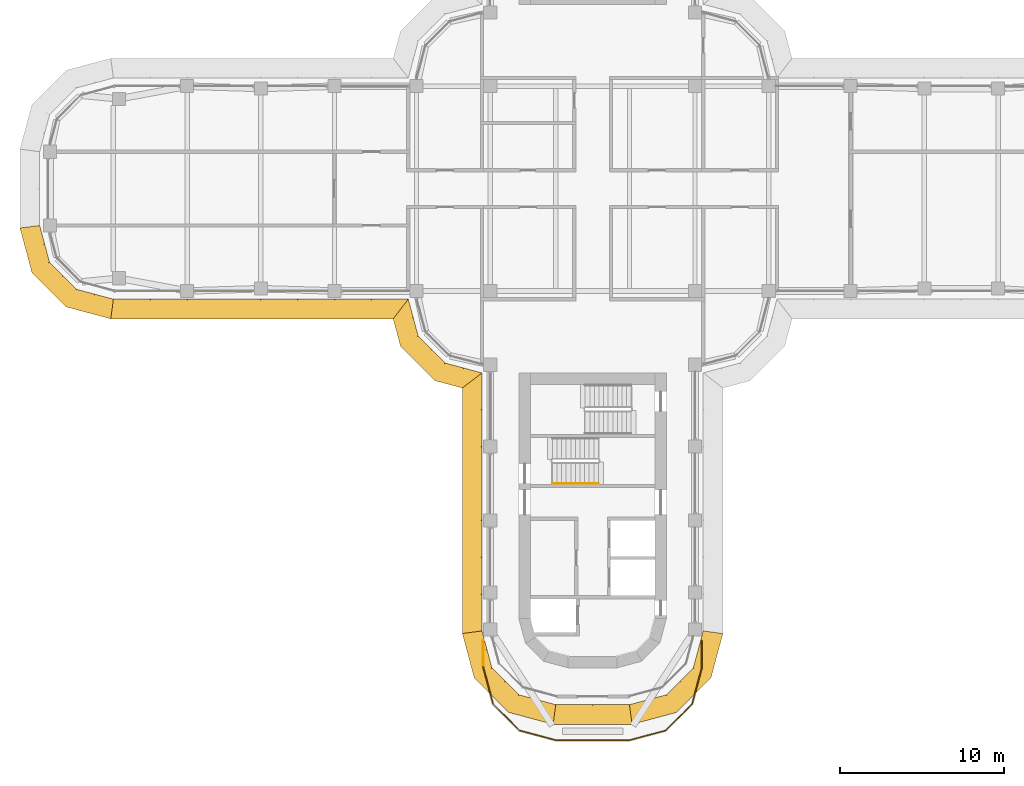
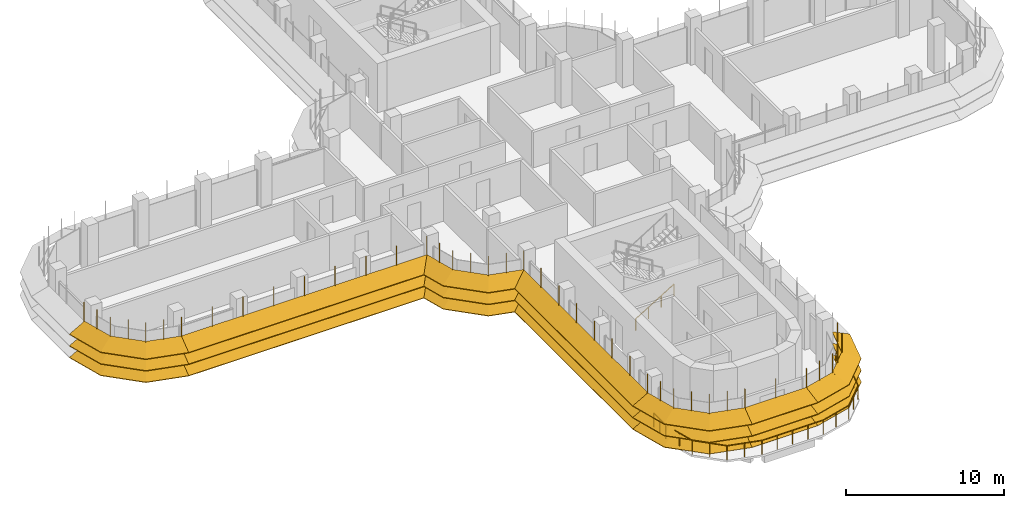
# One storey, part 17 of 20: 7 shading devices, 3 railings.
"""IFC4 building model written with IfcOpenShell, lengths in metres."""

import ifcopenshell
import ifcopenshell.guid

model = None  # the IFC model being written
_history = None  # IfcOwnerHistory: only IFC2X3 demands one
_inside = {}  # id of a spatial element -> (the spatial element, [elements in it])
_under = {}  # id of a project, library or spatial element -> (it, [spatial elements below it])
_declared = {}  # id of a project -> (the project, [libraries it declares])
_typed = {}  # id of a type object -> (the type object, [elements of that type])
_made_of = {}  # id of a material, layer set ... -> (it, [elements and type objects made of it])


def new_model(schema):
    """Start an empty IFC model of exactly this schema.

    Asked for "IFC4X3", IfcOpenShell would pick the latest addendum, in which some entities
    have other attributes; the version numbers below select the first issue.
    IFC2X3 requires an IfcOwnerHistory on every rooted entity: one is made here for all.
    """
    global model, _history
    if schema == "IFC4X3":
        model = ifcopenshell.file(schema_version=(4, 3, 0, 0))
    else:
        model = ifcopenshell.file(schema=schema)
    _inside.clear()
    _under.clear()
    _declared.clear()
    _typed.clear()
    _made_of.clear()
    _history = None
    if model.schema == "IFC2X3":
        org = make("IfcOrganization", Name="unknown")
        user = make(
            "IfcPersonAndOrganization",
            ThePerson=make("IfcPerson", FamilyName="unknown"),
            TheOrganization=org,
        )
        app = make(
            "IfcApplication",
            ApplicationDeveloper=org,
            Version="unknown",
            ApplicationFullName="unknown",
            ApplicationIdentifier="unknown",
        )
        _history = make(
            "IfcOwnerHistory",
            OwningUser=user,
            OwningApplication=app,
            ChangeAction="ADDED",
            CreationDate=0,
        )
    return model


def make(cls, **values):
    """One entity of the class cls with the attributes given. An attribute that is None is left unset."""
    return model.create_entity(
        cls, **{name: value for name, value in values.items() if value is not None}
    )


def rooted(cls, **values):
    """An entity with a GlobalId (a new one), such as an element, a storey or a relation."""
    return make(cls, GlobalId=ifcopenshell.guid.new(), OwnerHistory=_history, **values)


def si_unit(unit_type, name, prefix=None):
    """IfcSIUnit, for example si_unit("LENGTHUNIT", "METRE", prefix="MILLI")."""
    return make("IfcSIUnit", UnitType=unit_type, Prefix=prefix, Name=name)


def assignment(units):
    """IfcUnitAssignment: the units of a project."""
    return None if units is None else make("IfcUnitAssignment", Units=units)


def point(xyz):
    """IfcCartesianPoint."""
    return None if xyz is None else make("IfcCartesianPoint", Coordinates=xyz)


def direction(xyz):
    """IfcDirection."""
    return None if xyz is None else make("IfcDirection", DirectionRatios=xyz)


def frame(location, z_axis=None, x_axis=None):
    """IfcAxis2Placement3D, a coordinate frame: its origin and axes. An axis left out is left unset."""
    return make(
        "IfcAxis2Placement3D",
        Location=point(location),
        Axis=direction(z_axis),
        RefDirection=direction(x_axis),
    )


def frame_2d(location, x_axis=None):
    """IfcAxis2Placement2D, a coordinate frame in the plane: its origin and x axis."""
    return make(
        "IfcAxis2Placement2D", Location=point(location), RefDirection=direction(x_axis)
    )


def origin():
    """The frame at (0, 0, 0) with its axes left unset."""
    return frame((0.0, 0.0, 0.0))


def origin_2d():
    """The frame at (0, 0) in the plane with its x axis left unset."""
    return frame_2d((0.0, 0.0))


def place(relative_to, where):
    """IfcLocalPlacement: puts the frame where relative to a parent placement (None: the world)."""
    return make(
        "IfcLocalPlacement", PlacementRelTo=relative_to, RelativePlacement=where
    )


def context(
    kind, dimensions, precision=None, world=None, true_north=None, identifier=None
):
    """IfcGeometricRepresentationContext, for example the 3D "Model" context."""
    return make(
        "IfcGeometricRepresentationContext",
        ContextIdentifier=identifier,
        ContextType=kind,
        CoordinateSpaceDimension=dimensions,
        Precision=precision,
        WorldCoordinateSystem=world,
        TrueNorth=true_north,
    )


def subcontext(parent, identifier, kind, view, scale=None):
    """IfcGeometricRepresentationSubContext, for example "Body" below "Model"."""
    return make(
        "IfcGeometricRepresentationSubContext",
        ContextIdentifier=identifier,
        ContextType=kind,
        ParentContext=parent,
        TargetScale=scale,
        TargetView=view,
    )


def project(units=None, contexts=None):
    """IfcProject with its units and contexts."""
    return rooted(
        "IfcProject",
        Name="project",
        RepresentationContexts=contexts,
        UnitsInContext=assignment(units),
    )


def spatial(cls, under=None, at=None, **own):
    """A site, building, storey or space (cls), placed at a placement, below another one or the project."""
    s = rooted(cls, ObjectPlacement=at, **own)
    if under is not None:
        _under.setdefault(under.id(), (under, []))[1].append(s)
    return s


def polyline(points):
    """IfcPolyline through the points."""
    return make("IfcPolyline", Points=[point(p) for p in points])


def profile(cls, at=None, kind="AREA", **sizes):
    """A parametric profile (cls). Its sizes go by their IFC names, for example OverallWidth=200.0."""
    return make(cls, ProfileType=kind, Position=at, **sizes)


def circle(**sizes):
    """IfcCircleProfileDef."""
    return profile("IfcCircleProfileDef", **sizes)


def outline(outer, holes=None, kind="AREA"):
    """IfcArbitraryClosedProfileDef: a profile drawn as a closed curve; with holes, ...WithVoids."""
    if holes is None:
        return make("IfcArbitraryClosedProfileDef", ProfileType=kind, OuterCurve=outer)
    return make(
        "IfcArbitraryProfileDefWithVoids",
        ProfileType=kind,
        OuterCurve=outer,
        InnerCurves=holes,
    )


def extrude(swept, where, along, depth):
    """IfcExtrudedAreaSolid: the profile swept, set in the frame where, extruded along a direction by depth."""
    return make(
        "IfcExtrudedAreaSolid",
        SweptArea=swept,
        Position=where,
        ExtrudedDirection=direction(along),
        Depth=depth,
    )


def faces_of(points, faces, orient=None, outer=None):
    """IfcFace entities. A face is a list of loops; a loop is a list of indices into points, from 0.

    orient and outer hold one flag for each loop. By default every Orientation is true, the
    first loop of a face is its IfcFaceOuterBound and the others are IfcFaceBound.
    """
    made = []
    for i, loops in enumerate(faces):
        bounds = []
        for j, loop in enumerate(loops):
            is_outer = j == 0 if outer is None else outer[i][j]
            bounds.append(
                make(
                    "IfcFaceOuterBound" if is_outer else "IfcFaceBound",
                    Bound=make("IfcPolyLoop", Polygon=[points[k] for k in loop]),
                    Orientation=True if orient is None else orient[i][j],
                )
            )
        made.append(make("IfcFace", Bounds=bounds))
    return made


def faceted_brep(points, faces, orient=None, outer=None, voids=None):
    """IfcFacetedBrep: a solid bounded by flat faces; with voids (closed shells), ...WithVoids."""
    shared = [point(p) for p in points]
    hull = make("IfcClosedShell", CfsFaces=faces_of(shared, faces, orient, outer))
    if voids is None:
        return make("IfcFacetedBrep", Outer=hull)
    return make(
        "IfcFacetedBrepWithVoids",
        Outer=hull,
        Voids=[
            make(cls, CfsFaces=faces_of(shared, fs, o, b)) for cls, fs, o, b in voids
        ],
    )


def shape(context_of_items, identifier, shape_type, items):
    """IfcShapeRepresentation: the items that make up one representation, for example the "Body"."""
    return make(
        "IfcShapeRepresentation",
        ContextOfItems=context_of_items,
        RepresentationIdentifier=identifier,
        RepresentationType=shape_type,
        Items=items,
    )


def source(mapping_origin, context_of_items, identifier, shape_type, items):
    """IfcRepresentationMap: a shape defined once, which mapped items show again and again."""
    return make(
        "IfcRepresentationMap",
        MappingOrigin=mapping_origin,
        MappedRepresentation=shape(context_of_items, identifier, shape_type, items),
    )


def transform(
    local_origin,
    x_axis=None,
    y_axis=None,
    z_axis=None,
    scale=None,
    scale2=None,
    scale3=None,
    uniform=True,
):
    """IfcCartesianTransformationOperator3D, or its non-uniform kind. x_axis, y_axis, z_axis: its Axis1, 2, 3."""
    if uniform:
        return make(
            "IfcCartesianTransformationOperator3D",
            Axis1=direction(x_axis),
            Axis2=direction(y_axis),
            LocalOrigin=point(local_origin),
            Scale=scale,
            Axis3=direction(z_axis),
        )
    return make(
        "IfcCartesianTransformationOperator3DnonUniform",
        Axis1=direction(x_axis),
        Axis2=direction(y_axis),
        LocalOrigin=point(local_origin),
        Scale=scale,
        Axis3=direction(z_axis),
        Scale2=scale2,
        Scale3=scale3,
    )


def mapped(mapping_source, mapping_target):
    """IfcMappedItem: shows the shape of a source again, moved by a transform."""
    return make(
        "IfcMappedItem", MappingSource=mapping_source, MappingTarget=mapping_target
    )


def material(Name=None, Category=None):
    """IfcMaterial."""
    return make("IfcMaterial", Name=Name, Category=Category)


def made_of(thing, what):
    """Note that an element or type object is made of a material, layer set ...; save() writes the relation."""
    if what is not None:
        _made_of.setdefault(what.id(), (what, []))[1].append(thing)
    return thing


def type_object(cls, material=None, **own):
    """A type object (cls), such as IfcWallType, which elements share."""
    return made_of(rooted(cls, **own), material)


def element(
    cls,
    number,
    at=None,
    inside=None,
    cuts=None,
    type_object=None,
    material=None,
    context=None,
    identifier="Body",
    shape_type=None,
    held_by="IfcProductDefinitionShape",
    body=None,
    shapes=None,
    **own,
):
    """One element of the class cls, such as IfcWall. Its Tag is "e" and its number.

    at: its placement. inside: the storey or other place that contains it. cuts: it is an
    opening in that element (IfcRelVoidsElement). A single representation is given by context,
    identifier, shape_type and body (its items); several are given by shapes. held_by: the class
    of the entity that holds the representations. save() writes the other relations.
    """
    e = rooted(cls, Tag="e%d" % number, ObjectPlacement=at, **own)
    if body is not None:
        shapes = [shape(context, identifier, shape_type, body)]
    if shapes is not None:
        e.Representation = make(held_by, Representations=shapes)
    if inside is not None:
        _inside.setdefault(inside.id(), (inside, []))[1].append(e)
    if cuts is not None:
        rooted(
            "IfcRelVoidsElement", RelatingBuildingElement=cuts, RelatedOpeningElement=e
        )
    if type_object is not None:
        _typed.setdefault(type_object.id(), (type_object, []))[1].append(e)
    return made_of(e, material)


def aggregate(whole, parts):
    """IfcRelAggregates: a whole, such as a stair, and the parts it consists of."""
    return rooted("IfcRelAggregates", RelatingObject=whole, RelatedObjects=parts)


def save(model, path):
    """Write the relations noted so far, then the file.

    IfcRelAggregates (storeys below a building ...), IfcRelContainedInSpatialStructure (elements
    in a storey), IfcRelDefinesByType, IfcRelAssociatesMaterial and IfcRelDeclares: one each for
    every whole, place, type object, material and project.
    """
    for whole, parts in _under.values():
        aggregate(whole, parts)
    for where, things in _inside.values():
        rooted(
            "IfcRelContainedInSpatialStructure",
            RelatedElements=things,
            RelatingStructure=where,
        )
    for kind, things in _typed.values():
        rooted("IfcRelDefinesByType", RelatedObjects=things, RelatingType=kind)
    for what, things in _made_of.values():
        rooted("IfcRelAssociatesMaterial", RelatedObjects=things, RelatingMaterial=what)
    for by, libraries in _declared.values():
        rooted("IfcRelDeclares", RelatingContext=by, RelatedDefinitions=libraries)
    model.write(path)


model = new_model("IFC4")

# Units and contexts
model_context = context("Model", 3, precision=1e-05, world=origin(), true_north=direction((0.0, 1.0)))
body_context = subcontext(model_context, "Body", "Model", "MODEL_VIEW")
ifc_project = project(units=[si_unit("LENGTHUNIT", "METRE"), si_unit("AREAUNIT", "SQUARE_METRE"), si_unit("VOLUMEUNIT", "CUBIC_METRE"), si_unit("PLANEANGLEUNIT", "RADIAN"), si_unit("MASSUNIT", "GRAM", prefix="KILO")], contexts=[model_context])

# Site, building, storey
site_placement = place(None, origin())
site = spatial("IfcSite", under=ifc_project, at=site_placement, CompositionType="ELEMENT")
building_placement = place(site_placement, origin())
building = spatial("IfcBuilding", under=site, at=building_placement, Name="Zarbagh Exchange Tower", CompositionType="ELEMENT")
storey_placement = place(building_placement, frame((0.0, 0.0, 156.199951171875)))
storey = spatial("IfcBuildingStorey", under=building, at=storey_placement, Name="L37", CompositionType="ELEMENT", Elevation=156.199951171875)

# Railings
ifc_material_1 = material(Name="Stainless steel", Category="steel")
railing_type_1 = type_object("IfcRailingType", Name="Stair handrail 900 mm", PredefinedType="HANDRAIL", material=ifc_material_1)
railing_1_placement = place(storey_placement, frame((-2.449951171875, -18.0, 0.1728515625)))
element("IfcRailing", 1, at=railing_1_placement, inside=storey, type_object=railing_type_1, Name="ST3 stair handrail 1", PredefinedType="HANDRAIL", context=body_context, shape_type="SweptSolid", body=[
    extrude(circle(Radius=0.02392578125, at=origin_2d()), frame((0.0, 0.0, 0.8759765625), z_axis=(0.851089632645, 0.0, 0.525020415988), x_axis=(0.0, 1.0, 0.0)), (0.0, 0.0, 1.0), 3.2900390625),
    extrude(circle(Radius=0.02099609375, at=origin_2d()), origin(), (0.0, 0.0, 1.0), 0.851806640625),
    extrude(circle(Radius=0.02099609375, at=origin_2d()), frame((0.933349609375, 0.0, 0.57568359375)), (0.0, 0.0, 1.0), 0.851806640625),
    extrude(circle(Radius=0.02099609375, at=origin_2d()), frame((1.86669921875, 0.0, 1.151611328125)), (0.0, 0.0, 1.0), 0.851806640625),
    extrude(circle(Radius=0.02099609375, at=origin_2d()), frame((2.800048828125, 0.0, 1.727294921875)), (0.0, 0.0, 1.0), 0.851806640625),
])
ifc_material_2 = material(Name="Stainless steel and laminated glass", Category="steel")
railing_type_2 = type_object("IfcRailingType", Name="Terrace guard, glass balustrade 1.1 m", PredefinedType="GUARDRAIL", material=ifc_material_2)
railing_2_placement = place(storey_placement, frame((6.669921875, -27.607666015625, 0.0)))
element("IfcRailing", 2, at=railing_2_placement, inside=storey, type_object=railing_type_2, Name="TG01 terrace guard", PredefinedType="GUARDRAIL", context=body_context, shape_type="SweptSolid", body=[
    extrude(circle(Radius=0.02490234375, at=origin_2d()), frame((0.0, 0.0, 1.0751953125), z_axis=(0.0, -1.0, 0.0), x_axis=(1.0, 0.0, 0.0)), (0.0, 0.0, 1.0), 1.6318359375),
    extrude(circle(Radius=0.02490234375, at=origin_2d()), frame((0.0, -1.6318359375, 1.0751953125), z_axis=(-0.258780353152, -0.965936192935, 0.0), x_axis=(0.965936192935, -0.258780353152, 0.0)), (0.0, 0.0, 1.0), 2.29736328125),
    extrude(circle(Radius=0.02490234375, at=origin_2d()), frame((-0.594482421875, -3.850830078125, 1.0751953125), z_axis=(-0.707106781187, -0.707106781187, 0.0), x_axis=(0.707106781187, -0.707106781187, 0.0)), (0.0, 0.0, 1.0), 2.28662109375),
    extrude(circle(Radius=0.02490234375, at=origin_2d()), frame((-2.21142578125, -5.4677734375, 1.0751953125), z_axis=(-0.965936192935, -0.258780353152, 0.0), x_axis=(0.258780353152, -0.965936192935, 0.0)), (0.0, 0.0, 1.0), 2.29736328125),
    extrude(circle(Radius=0.02490234375, at=origin_2d()), frame((-4.430419921875, -6.062255859375, 1.0751953125), z_axis=(-1.0, 0.0, 0.0), x_axis=(0.0, -1.0, 0.0)), (0.0, 0.0, 1.0), 4.47900390625),
    extrude(circle(Radius=0.02490234375, at=origin_2d()), frame((-8.909423828125, -6.062255859375, 1.0751953125), z_axis=(-0.965936192935, 0.258780353152, 0.0), x_axis=(-0.258780353152, -0.965936192935, 0.0)), (0.0, 0.0, 1.0), 2.29736328125),
    extrude(circle(Radius=0.02490234375, at=origin_2d()), frame((-11.12841796875, -5.4677734375, 1.0751953125), z_axis=(-0.707106781187, 0.707106781187, 0.0), x_axis=(-0.707106781187, -0.707106781187, 0.0)), (0.0, 0.0, 1.0), 2.28662109375),
    extrude(circle(Radius=0.02490234375, at=origin_2d()), frame((-12.745361328125, -3.850830078125, 1.0751953125), z_axis=(-0.258780353152, 0.965936192935, 0.0), x_axis=(-0.965936192935, -0.258780353152, 0.0)), (0.0, 0.0, 1.0), 2.29736328125),
    extrude(circle(Radius=0.02490234375, at=origin_2d()), frame((-13.33984375, -1.6318359375, 1.0751953125), z_axis=(0.0, 1.0, 0.0), x_axis=(-1.0, 0.0, 0.0)), (0.0, 0.0, 1.0), 0.126708984375),
    extrude(circle(Radius=0.02490234375, at=origin_2d()), origin(), (0.0, 0.0, 1.0), 1.050048828125),
    extrude(circle(Radius=0.02490234375, at=origin_2d()), frame((0.0, -0.81591796875, 0.0)), (0.0, 0.0, 1.0), 1.050048828125),
    extrude(circle(Radius=0.02490234375, at=origin_2d()), frame((0.0, -1.6318359375, 0.0)), (0.0, 0.0, 1.0), 1.050048828125),
    extrude(circle(Radius=0.02490234375, at=origin_2d()), frame((-0.29736328125, -2.7412109375, 0.0)), (0.0, 0.0, 1.0), 1.050048828125),
    extrude(circle(Radius=0.02490234375, at=origin_2d()), frame((-0.594482421875, -3.850830078125, 0.0)), (0.0, 0.0, 1.0), 1.050048828125),
    extrude(circle(Radius=0.02490234375, at=origin_2d()), frame((-1.40283203125, -4.6591796875, 0.0)), (0.0, 0.0, 1.0), 1.050048828125),
    extrude(circle(Radius=0.02490234375, at=origin_2d()), frame((-2.21142578125, -5.4677734375, 0.0)), (0.0, 0.0, 1.0), 1.050048828125),
    extrude(circle(Radius=0.02490234375, at=origin_2d()), frame((-3.32080078125, -5.76513671875, 0.0)), (0.0, 0.0, 1.0), 1.050048828125),
    extrude(circle(Radius=0.02490234375, at=origin_2d()), frame((-4.430419921875, -6.062255859375, 0.0)), (0.0, 0.0, 1.0), 1.050048828125),
    extrude(circle(Radius=0.02490234375, at=origin_2d()), frame((-5.55029296875, -6.062255859375, 0.0)), (0.0, 0.0, 1.0), 1.050048828125),
    extrude(circle(Radius=0.02490234375, at=origin_2d()), frame((-6.669921875, -6.062255859375, 0.0)), (0.0, 0.0, 1.0), 1.050048828125),
    extrude(circle(Radius=0.02490234375, at=origin_2d()), frame((-7.78955078125, -6.062255859375, 0.0)), (0.0, 0.0, 1.0), 1.050048828125),
    extrude(circle(Radius=0.02490234375, at=origin_2d()), frame((-8.909423828125, -6.062255859375, 0.0)), (0.0, 0.0, 1.0), 1.050048828125),
    extrude(circle(Radius=0.02490234375, at=origin_2d()), frame((-10.01904296875, -5.76513671875, 0.0)), (0.0, 0.0, 1.0), 1.050048828125),
    extrude(circle(Radius=0.02490234375, at=origin_2d()), frame((-11.12841796875, -5.4677734375, 0.0)), (0.0, 0.0, 1.0), 1.050048828125),
    extrude(circle(Radius=0.02490234375, at=origin_2d()), frame((-11.93701171875, -4.6591796875, 0.0)), (0.0, 0.0, 1.0), 1.050048828125),
    extrude(circle(Radius=0.02490234375, at=origin_2d()), frame((-12.745361328125, -3.850830078125, 0.0)), (0.0, 0.0, 1.0), 1.050048828125),
    extrude(circle(Radius=0.02490234375, at=origin_2d()), frame((-13.04248046875, -2.7412109375, 0.0)), (0.0, 0.0, 1.0), 1.050048828125),
    extrude(circle(Radius=0.02490234375, at=origin_2d()), frame((-13.33984375, -1.6318359375, 0.0)), (0.0, 0.0, 1.0), 1.050048828125),
    extrude(circle(Radius=0.02490234375, at=origin_2d()), frame((-13.33984375, -1.505126953125, 0.0)), (0.0, 0.0, 1.0), 1.050048828125),
])
railing_3_placement = place(storey_placement, frame((-6.669921875, -29.11279296875, 0.0)))
element("IfcRailing", 3, at=railing_3_placement, inside=storey, type_object=railing_type_2, Name="TG01 terrace guard", PredefinedType="GUARDRAIL", context=body_context, shape_type="SweptSolid", body=[
    extrude(circle(Radius=0.02490234375, at=origin_2d()), frame((0.0, 0.0, 1.0751953125), z_axis=(0.0, 1.0, 0.0), x_axis=(-1.0, 0.0, 0.0)), (0.0, 0.0, 1.0), 1.505126953125),
    extrude(circle(Radius=0.02490234375, at=origin_2d()), origin(), (0.0, 0.0, 1.0), 1.050048828125),
    extrude(circle(Radius=0.02490234375, at=origin_2d()), frame((0.0, 0.75244140625, 0.0)), (0.0, 0.0, 1.0), 1.050048828125),
    extrude(circle(Radius=0.02490234375, at=origin_2d()), frame((0.0, 1.505126953125, 0.0)), (0.0, 0.0, 1.0), 1.050048828125),
])

# Shading devices
ifc_material_3 = material(Name="Anodised aluminium blades and brackets", Category="aluminium")
shading_device_type = type_object("IfcShadingDeviceType", Name="SUNSHADE louvre band, 22.5 degree blades", PredefinedType="JALOUSIE", material=ifc_material_3)
shared_shape_1 = source(origin(), body_context, "Body", "Brep", [
    faceted_brep([(0.0, 0.0, 0.0), (0.0, 0.0, -0.043212890625), (-0.157958984375, -1.199951171875, -0.540283203125), (-0.157958984375, -1.199951171875, -0.4970703125), (2.65087890625, -1.199951171875, -0.4970703125), (2.65087890625, -1.199951171875, -0.540283203125), (2.329345703125, 0.0, -0.043212890625), (2.329345703125, 0.0, 0.0)], [[[0, 1, 2, 3]], [[4, 5, 6, 7]], [[0, 7, 6, 1]], [[1, 6, 5, 2]], [[2, 5, 4, 3]], [[3, 4, 7, 0]]]),
])
shared_shape_2 = source(origin(), body_context, "Body", "Brep", [
    faceted_brep([(0.0, 0.0, 0.0), (0.0, 0.0, -0.043212890625), (-0.321533203125, -1.199951171875, -0.540283203125), (-0.321533203125, -1.199951171875, -0.4970703125), (2.65087890625, -1.199951171875, -0.4970703125), (2.65087890625, -1.199951171875, -0.540283203125), (2.329345703125, 0.0, -0.043212890625), (2.329345703125, 0.0, 0.0)], [[[0, 1, 2, 3]], [[4, 5, 6, 7]], [[0, 7, 6, 1]], [[1, 6, 5, 2]], [[2, 5, 4, 3]], [[3, 4, 7, 0]]]),
])
shared_shape_3 = source(origin(), body_context, "Body", "Brep", [
    faceted_brep([(0.0, 0.0, 0.0), (0.0, 0.0, -0.043212890625), (-0.321533203125, -1.199951171875, -0.540283203125), (-0.321533203125, -1.199951171875, -0.4970703125), (2.4873046875, -1.199951171875, -0.4970703125), (2.4873046875, -1.199951171875, -0.540283203125), (2.329345703125, 0.0, -0.043212890625), (2.329345703125, 0.0, 0.0)], [[[0, 1, 2, 3]], [[4, 5, 6, 7]], [[0, 7, 6, 1]], [[1, 6, 5, 2]], [[2, 5, 4, 3]], [[3, 4, 7, 0]]]),
])
shared_shape_4 = source(origin(), body_context, "Body", "SweptSolid", [
    extrude(outline(polyline([(0.0, -0.012451171875), (0.06005859375, -0.012451171875), (0.06005859375, 0.012451171875), (0.0, 0.012451171875), (0.0, -0.012451171875)])), origin(), (0.0, 0.0, 1.0), 3.353271484375),
])
placement = place(storey_placement, origin())
element("IfcShadingDevice", 4, at=placement, inside=storey, type_object=shading_device_type, Name="SS35 sunshade band", PredefinedType="JALOUSIE", context=body_context, shape_type="MappedRepresentation", body=[
    mapped(shared_shape_1, transform((2.25, -31.5, 2.300048828125), x_axis=(0.965924289636, 0.258824779902, 0.0), y_axis=(-0.258824779902, 0.965924289636, 0.0), z_axis=(0.0, 0.0, 1.0))),
    mapped(shared_shape_1, transform((2.25, -31.5, 1.400146484375), x_axis=(0.965924289636, 0.258824779902, 0.0), y_axis=(-0.258824779902, 0.965924289636, 0.0), z_axis=(0.0, 0.0, 1.0))),
    mapped(shared_shape_1, transform((2.25, -31.5, 0.5), x_axis=(0.965924289636, 0.258824779902, 0.0), y_axis=(-0.258824779902, 0.965924289636, 0.0), z_axis=(0.0, 0.0, 1.0))),
    mapped(shared_shape_2, transform((4.5, -30.897216796875, 2.300048828125), x_axis=(0.707106781187, 0.707106781187, 0.0), y_axis=(-0.707106781187, 0.707106781187, 0.0), z_axis=(0.0, 0.0, 1.0))),
    mapped(shared_shape_2, transform((4.5, -30.897216796875, 1.400146484375), x_axis=(0.707106781187, 0.707106781187, 0.0), y_axis=(-0.707106781187, 0.707106781187, 0.0), z_axis=(0.0, 0.0, 1.0))),
    mapped(shared_shape_2, transform((4.5, -30.897216796875, 0.5), x_axis=(0.707106781187, 0.707106781187, 0.0), y_axis=(-0.707106781187, 0.707106781187, 0.0), z_axis=(0.0, 0.0, 1.0))),
    mapped(shared_shape_3, transform((6.147216796875, -29.25, 2.300048828125), x_axis=(0.258824779902, 0.965924289636, 0.0), y_axis=(-0.965924289636, 0.258824779902, 0.0), z_axis=(0.0, 0.0, 1.0))),
    mapped(shared_shape_3, transform((6.147216796875, -29.25, 1.400146484375), x_axis=(0.258824779902, 0.965924289636, 0.0), y_axis=(-0.965924289636, 0.258824779902, 0.0), z_axis=(0.0, 0.0, 1.0))),
    mapped(shared_shape_3, transform((6.147216796875, -29.25, 0.5), x_axis=(0.258824779902, 0.965924289636, 0.0), y_axis=(-0.965924289636, 0.258824779902, 0.0), z_axis=(0.0, 0.0, 1.0))),
    mapped(shared_shape_4, transform((2.25, -31.5, 0.4267578125), x_axis=(0.130529263012, -0.991444457092, 0.0), y_axis=(0.991444457092, 0.130529263012, 0.0), z_axis=(0.0, 0.0, 1.0))),
    mapped(shared_shape_4, transform((3.375, -31.198486328125, 0.4267578125), x_axis=(0.258825058029, -0.96592421511, 0.0), y_axis=(0.96592421511, 0.258825058029, 0.0), z_axis=(0.0, 0.0, 1.0))),
    mapped(shared_shape_4, transform((4.5, -30.897216796875, 0.4267578125), x_axis=(0.50000275701, -0.866023812018, 0.0), y_axis=(0.866023812018, 0.50000275701, 0.0), z_axis=(0.0, 0.0, 1.0))),
    mapped(shared_shape_4, transform((5.323486328125, -30.073486328125, 0.4267578125), x_axis=(0.707106781187, -0.707106781187, 0.0), y_axis=(0.707106781187, 0.707106781187, 0.0), z_axis=(0.0, 0.0, 1.0))),
    mapped(shared_shape_4, transform((6.147216796875, -29.25, 0.4267578125), x_axis=(0.866023812018, -0.50000275701, 0.0), y_axis=(0.50000275701, 0.866023812018, 0.0), z_axis=(0.0, 0.0, 1.0))),
    mapped(shared_shape_4, transform((6.448486328125, -28.125, 0.4267578125), x_axis=(0.96592421511, -0.258825058029, 0.0), y_axis=(0.258825058029, 0.96592421511, 0.0), z_axis=(0.0, 0.0, 1.0))),
])
element("IfcShadingDevice", 5, at=placement, inside=storey, type_object=shading_device_type, Name="SS19 sunshade band", PredefinedType="JALOUSIE", context=body_context, shape_type="MappedRepresentation", body=[
    mapped(shared_shape_1, transform((-33.75, -2.25, 2.300048828125), x_axis=(0.258824779902, -0.965924289636, 0.0), y_axis=(0.965924289636, 0.258824779902, 0.0), z_axis=(0.0, 0.0, 1.0))),
    mapped(shared_shape_1, transform((-33.75, -2.25, 1.400146484375), x_axis=(0.258824779902, -0.965924289636, 0.0), y_axis=(0.965924289636, 0.258824779902, 0.0), z_axis=(0.0, 0.0, 1.0))),
    mapped(shared_shape_1, transform((-33.75, -2.25, 0.5), x_axis=(0.258824779902, -0.965924289636, 0.0), y_axis=(0.965924289636, 0.258824779902, 0.0), z_axis=(0.0, 0.0, 1.0))),
    mapped(shared_shape_2, transform((-33.147216796875, -4.5, 2.300048828125), x_axis=(0.707106781187, -0.707106781187, 0.0), y_axis=(0.707106781187, 0.707106781187, 0.0), z_axis=(0.0, 0.0, 1.0))),
    mapped(shared_shape_2, transform((-33.147216796875, -4.5, 1.400146484375), x_axis=(0.707106781187, -0.707106781187, 0.0), y_axis=(0.707106781187, 0.707106781187, 0.0), z_axis=(0.0, 0.0, 1.0))),
    mapped(shared_shape_2, transform((-33.147216796875, -4.5, 0.5), x_axis=(0.707106781187, -0.707106781187, 0.0), y_axis=(0.707106781187, 0.707106781187, 0.0), z_axis=(0.0, 0.0, 1.0))),
    mapped(shared_shape_3, transform((-31.5, -6.147216796875, 2.300048828125), x_axis=(0.965924289636, -0.258824779902, 0.0), y_axis=(0.258824779902, 0.965924289636, 0.0), z_axis=(0.0, 0.0, 1.0))),
    mapped(shared_shape_3, transform((-31.5, -6.147216796875, 1.400146484375), x_axis=(0.965924289636, -0.258824779902, 0.0), y_axis=(0.258824779902, 0.965924289636, 0.0), z_axis=(0.0, 0.0, 1.0))),
    mapped(shared_shape_3, transform((-31.5, -6.147216796875, 0.5), x_axis=(0.965924289636, -0.258824779902, 0.0), y_axis=(0.258824779902, 0.965924289636, 0.0), z_axis=(0.0, 0.0, 1.0))),
    mapped(shared_shape_4, transform((-33.75, -2.25, 0.4267578125), x_axis=(-0.991444457092, -0.130529263012, 0.0), y_axis=(0.130529263012, -0.991444457092, 0.0), z_axis=(0.0, 0.0, 1.0))),
    mapped(shared_shape_4, transform((-33.448486328125, -3.375, 0.4267578125), x_axis=(-0.96592421511, -0.258825058029, 0.0), y_axis=(0.258825058029, -0.96592421511, 0.0), z_axis=(0.0, 0.0, 1.0))),
    mapped(shared_shape_4, transform((-33.147216796875, -4.5, 0.4267578125), x_axis=(-0.866023812018, -0.50000275701, 0.0), y_axis=(0.50000275701, -0.866023812018, 0.0), z_axis=(0.0, 0.0, 1.0))),
    mapped(shared_shape_4, transform((-32.323486328125, -5.323486328125, 0.4267578125), x_axis=(-0.707106781187, -0.707106781187, 0.0), y_axis=(0.707106781187, -0.707106781187, 0.0), z_axis=(0.0, 0.0, 1.0))),
    mapped(shared_shape_4, transform((-31.5, -6.147216796875, 0.4267578125), x_axis=(-0.50000275701, -0.866023812018, 0.0), y_axis=(0.866023812018, -0.50000275701, 0.0), z_axis=(0.0, 0.0, 1.0))),
    mapped(shared_shape_4, transform((-30.375, -6.448486328125, 0.4267578125), x_axis=(-0.258825058029, -0.96592421511, 0.0), y_axis=(0.96592421511, -0.258825058029, 0.0), z_axis=(0.0, 0.0, 1.0))),
])
element("IfcShadingDevice", 6, at=placement, inside=storey, type_object=shading_device_type, Name="SS38 sunshade band", PredefinedType="JALOUSIE", context=body_context, shape_type="MappedRepresentation", body=[
    mapped(shared_shape_1, transform((-6.75, -27.0, 2.300048828125), x_axis=(0.258824779902, -0.965924289636, 0.0), y_axis=(0.965924289636, 0.258824779902, 0.0), z_axis=(0.0, 0.0, 1.0))),
    mapped(shared_shape_1, transform((-6.75, -27.0, 1.400146484375), x_axis=(0.258824779902, -0.965924289636, 0.0), y_axis=(0.965924289636, 0.258824779902, 0.0), z_axis=(0.0, 0.0, 1.0))),
    mapped(shared_shape_1, transform((-6.75, -27.0, 0.5), x_axis=(0.258824779902, -0.965924289636, 0.0), y_axis=(0.965924289636, 0.258824779902, 0.0), z_axis=(0.0, 0.0, 1.0))),
    mapped(shared_shape_2, transform((-6.147216796875, -29.25, 2.300048828125), x_axis=(0.707106781187, -0.707106781187, 0.0), y_axis=(0.707106781187, 0.707106781187, 0.0), z_axis=(0.0, 0.0, 1.0))),
    mapped(shared_shape_2, transform((-6.147216796875, -29.25, 1.400146484375), x_axis=(0.707106781187, -0.707106781187, 0.0), y_axis=(0.707106781187, 0.707106781187, 0.0), z_axis=(0.0, 0.0, 1.0))),
    mapped(shared_shape_2, transform((-6.147216796875, -29.25, 0.5), x_axis=(0.707106781187, -0.707106781187, 0.0), y_axis=(0.707106781187, 0.707106781187, 0.0), z_axis=(0.0, 0.0, 1.0))),
    mapped(shared_shape_3, transform((-4.5, -30.897216796875, 2.300048828125), x_axis=(0.965924289636, -0.258824779902, 0.0), y_axis=(0.258824779902, 0.965924289636, 0.0), z_axis=(0.0, 0.0, 1.0))),
    mapped(shared_shape_3, transform((-4.5, -30.897216796875, 1.400146484375), x_axis=(0.965924289636, -0.258824779902, 0.0), y_axis=(0.258824779902, 0.965924289636, 0.0), z_axis=(0.0, 0.0, 1.0))),
    mapped(shared_shape_3, transform((-4.5, -30.897216796875, 0.5), x_axis=(0.965924289636, -0.258824779902, 0.0), y_axis=(0.258824779902, 0.965924289636, 0.0), z_axis=(0.0, 0.0, 1.0))),
    mapped(shared_shape_4, transform((-6.75, -27.0, 0.4267578125), x_axis=(-0.991444457092, -0.130529263012, 0.0), y_axis=(0.130529263012, -0.991444457092, 0.0), z_axis=(0.0, 0.0, 1.0))),
    mapped(shared_shape_4, transform((-6.448486328125, -28.125, 0.4267578125), x_axis=(-0.96592421511, -0.258825058029, 0.0), y_axis=(0.258825058029, -0.96592421511, 0.0), z_axis=(0.0, 0.0, 1.0))),
    mapped(shared_shape_4, transform((-6.147216796875, -29.25, 0.4267578125), x_axis=(-0.866023812018, -0.50000275701, 0.0), y_axis=(0.50000275701, -0.866023812018, 0.0), z_axis=(0.0, 0.0, 1.0))),
    mapped(shared_shape_4, transform((-5.323486328125, -30.073486328125, 0.4267578125), x_axis=(-0.707106781187, -0.707106781187, 0.0), y_axis=(0.707106781187, -0.707106781187, 0.0), z_axis=(0.0, 0.0, 1.0))),
    mapped(shared_shape_4, transform((-4.5, -30.897216796875, 0.4267578125), x_axis=(-0.50000275701, -0.866023812018, 0.0), y_axis=(0.866023812018, -0.50000275701, 0.0), z_axis=(0.0, 0.0, 1.0))),
    mapped(shared_shape_4, transform((-3.375, -31.198486328125, 0.4267578125), x_axis=(-0.258825058029, -0.96592421511, 0.0), y_axis=(0.96592421511, -0.258825058029, 0.0), z_axis=(0.0, 0.0, 1.0))),
])
shared_shape_5 = source(origin(), body_context, "Body", "Brep", [
    faceted_brep([(0.0, 0.0, 0.0), (0.0, 0.0, -0.043212890625), (0.9208984375, -1.199951171875, -0.540283203125), (0.9208984375, -1.199951171875, -0.4970703125), (2.65087890625, -1.199951171875, -0.4970703125), (2.65087890625, -1.199951171875, -0.540283203125), (2.329345703125, 0.0, -0.043212890625), (2.329345703125, 0.0, 0.0)], [[[0, 1, 2, 3]], [[4, 5, 6, 7]], [[0, 7, 6, 1]], [[1, 6, 5, 2]], [[2, 5, 4, 3]], [[3, 4, 7, 0]]]),
])
shared_shape_6 = source(origin(), body_context, "Body", "Brep", [
    faceted_brep([(0.0, 0.0, 0.0), (0.0, 0.0, -0.043212890625), (-0.321533203125, -1.199951171875, -0.540283203125), (-0.321533203125, -1.199951171875, -0.4970703125), (1.40869140625, -1.199951171875, -0.4970703125), (1.40869140625, -1.199951171875, -0.540283203125), (2.329345703125, 0.0, -0.043212890625), (2.329345703125, 0.0, 0.0)], [[[0, 1, 2, 3]], [[4, 5, 6, 7]], [[0, 7, 6, 1]], [[1, 6, 5, 2]], [[2, 5, 4, 3]], [[3, 4, 7, 0]]]),
])
element("IfcShadingDevice", 7, at=placement, inside=storey, type_object=shading_device_type, Name="SS21 sunshade band", PredefinedType="JALOUSIE", context=body_context, shape_type="MappedRepresentation", body=[
    mapped(shared_shape_5, transform((-11.25, -6.75, 2.300048828125), x_axis=(0.258824779902, -0.965924289636, 0.0), y_axis=(0.965924289636, 0.258824779902, 0.0), z_axis=(0.0, 0.0, 1.0))),
    mapped(shared_shape_5, transform((-11.25, -6.75, 1.400146484375), x_axis=(0.258824779902, -0.965924289636, 0.0), y_axis=(0.965924289636, 0.258824779902, 0.0), z_axis=(0.0, 0.0, 1.0))),
    mapped(shared_shape_5, transform((-11.25, -6.75, 0.5), x_axis=(0.258824779902, -0.965924289636, 0.0), y_axis=(0.965924289636, 0.258824779902, 0.0), z_axis=(0.0, 0.0, 1.0))),
    mapped(shared_shape_2, transform((-10.647216796875, -9.0, 2.300048828125), x_axis=(0.707106781187, -0.707106781187, 0.0), y_axis=(0.707106781187, 0.707106781187, 0.0), z_axis=(0.0, 0.0, 1.0))),
    mapped(shared_shape_2, transform((-10.647216796875, -9.0, 1.400146484375), x_axis=(0.707106781187, -0.707106781187, 0.0), y_axis=(0.707106781187, 0.707106781187, 0.0), z_axis=(0.0, 0.0, 1.0))),
    mapped(shared_shape_2, transform((-10.647216796875, -9.0, 0.5), x_axis=(0.707106781187, -0.707106781187, 0.0), y_axis=(0.707106781187, 0.707106781187, 0.0), z_axis=(0.0, 0.0, 1.0))),
    mapped(shared_shape_6, transform((-9.0, -10.647216796875, 2.300048828125), x_axis=(0.965924289636, -0.258824779902, 0.0), y_axis=(0.258824779902, 0.965924289636, 0.0), z_axis=(0.0, 0.0, 1.0))),
    mapped(shared_shape_6, transform((-9.0, -10.647216796875, 1.400146484375), x_axis=(0.965924289636, -0.258824779902, 0.0), y_axis=(0.258824779902, 0.965924289636, 0.0), z_axis=(0.0, 0.0, 1.0))),
    mapped(shared_shape_6, transform((-9.0, -10.647216796875, 0.5), x_axis=(0.965924289636, -0.258824779902, 0.0), y_axis=(0.258824779902, 0.965924289636, 0.0), z_axis=(0.0, 0.0, 1.0))),
    mapped(shared_shape_4, transform((-11.25, -6.75, 0.4267578125), x_axis=(-0.608758892, -0.793355287, 0.0), y_axis=(0.793355287, -0.608758892, 0.0), z_axis=(0.0, 0.0, 1.0))),
    mapped(shared_shape_4, transform((-10.948486328125, -7.875, 0.4267578125), x_axis=(-0.96592421511, -0.258825058029, 0.0), y_axis=(0.258825058029, -0.96592421511, 0.0), z_axis=(0.0, 0.0, 1.0))),
    mapped(shared_shape_4, transform((-10.647216796875, -9.0, 0.4267578125), x_axis=(-0.866023812018, -0.50000275701, 0.0), y_axis=(0.50000275701, -0.866023812018, 0.0), z_axis=(0.0, 0.0, 1.0))),
    mapped(shared_shape_4, transform((-9.823486328125, -9.823486328125, 0.4267578125), x_axis=(-0.707106781187, -0.707106781187, 0.0), y_axis=(0.707106781187, -0.707106781187, 0.0), z_axis=(0.0, 0.0, 1.0))),
    mapped(shared_shape_4, transform((-9.0, -10.647216796875, 0.4267578125), x_axis=(-0.50000275701, -0.866023812018, 0.0), y_axis=(0.866023812018, -0.50000275701, 0.0), z_axis=(0.0, 0.0, 1.0))),
    mapped(shared_shape_4, transform((-7.875, -10.948486328125, 0.4267578125), x_axis=(-0.258825058029, -0.96592421511, 0.0), y_axis=(0.96592421511, -0.258825058029, 0.0), z_axis=(0.0, 0.0, 1.0))),
])
shared_shape_7 = source(origin(), body_context, "Body", "Brep", [
    faceted_brep([(0.0, 0.0, 0.0), (0.0, 0.0, -0.043212890625), (-0.157958984375, -1.199951171875, -0.540283203125), (-0.157958984375, -1.199951171875, -0.4970703125), (17.0791015625, -1.199951171875, -0.4970703125), (17.0791015625, -1.199951171875, -0.540283203125), (18.0, 0.0, -0.043212890625), (18.0, 0.0, 0.0)], [[[0, 1, 2, 3]], [[4, 5, 6, 7]], [[0, 7, 6, 1]], [[1, 6, 5, 2]], [[2, 5, 4, 3]], [[3, 4, 7, 0]]]),
])
element("IfcShadingDevice", 8, at=placement, inside=storey, type_object=shading_device_type, Name="SS20 sunshade band", PredefinedType="JALOUSIE", context=body_context, shape_type="MappedRepresentation", body=[
    mapped(shared_shape_7, transform((-29.25, -6.75, 2.300048828125), x_axis=(1.0, 0.0, 0.0), y_axis=(0.0, 1.0, 0.0), z_axis=(0.0, 0.0, 1.0))),
    mapped(shared_shape_7, transform((-29.25, -6.75, 1.400146484375), x_axis=(1.0, 0.0, 0.0), y_axis=(0.0, 1.0, 0.0), z_axis=(0.0, 0.0, 1.0))),
    mapped(shared_shape_7, transform((-29.25, -6.75, 0.5), x_axis=(1.0, 0.0, 0.0), y_axis=(0.0, 1.0, 0.0), z_axis=(0.0, 0.0, 1.0))),
    mapped(shared_shape_4, transform((-29.25, -6.75, 0.4267578125), x_axis=(-0.130529263012, -0.991444457092, 0.0), y_axis=(0.991444457092, -0.130529263012, 0.0), z_axis=(0.0, 0.0, 1.0))),
    mapped(shared_shape_4, transform((-27.0, -6.75, 0.4267578125), x_axis=(0.0, -1.0, 0.0), y_axis=(1.0, 0.0, 0.0), z_axis=(0.0, 0.0, 1.0))),
    mapped(shared_shape_4, transform((-24.75, -6.75, 0.4267578125), x_axis=(0.0, -1.0, 0.0), y_axis=(1.0, 0.0, 0.0), z_axis=(0.0, 0.0, 1.0))),
    mapped(shared_shape_4, transform((-22.5, -6.75, 0.4267578125), x_axis=(0.0, -1.0, 0.0), y_axis=(1.0, 0.0, 0.0), z_axis=(0.0, 0.0, 1.0))),
    mapped(shared_shape_4, transform((-20.25, -6.75, 0.4267578125), x_axis=(0.0, -1.0, 0.0), y_axis=(1.0, 0.0, 0.0), z_axis=(0.0, 0.0, 1.0))),
    mapped(shared_shape_4, transform((-18.0, -6.75, 0.4267578125), x_axis=(0.0, -1.0, 0.0), y_axis=(1.0, 0.0, 0.0), z_axis=(0.0, 0.0, 1.0))),
    mapped(shared_shape_4, transform((-15.75, -6.75, 0.4267578125), x_axis=(0.0, -1.0, 0.0), y_axis=(1.0, 0.0, 0.0), z_axis=(0.0, 0.0, 1.0))),
    mapped(shared_shape_4, transform((-13.5, -6.75, 0.4267578125), x_axis=(0.0, -1.0, 0.0), y_axis=(1.0, 0.0, 0.0), z_axis=(0.0, 0.0, 1.0))),
])
shared_shape_8 = source(origin(), body_context, "Body", "Brep", [
    faceted_brep([(0.0, 0.0, 0.0), (0.0, 0.0, -0.043212890625), (0.9208984375, -1.199951171875, -0.540283203125), (0.9208984375, -1.199951171875, -0.4970703125), (15.907958984375, -1.199951171875, -0.4970703125), (15.907958984375, -1.199951171875, -0.540283203125), (15.75, 0.0, -0.043212890625), (15.75, 0.0, 0.0)], [[[0, 1, 2, 3]], [[4, 5, 6, 7]], [[0, 7, 6, 1]], [[1, 6, 5, 2]], [[2, 5, 4, 3]], [[3, 4, 7, 0]]]),
])
element("IfcShadingDevice", 9, at=placement, inside=storey, type_object=shading_device_type, Name="SS37 sunshade band", PredefinedType="JALOUSIE", context=body_context, shape_type="MappedRepresentation", body=[
    mapped(shared_shape_8, transform((-6.75, -11.25, 2.300048828125), x_axis=(0.0, -1.0, 0.0), y_axis=(1.0, 0.0, 0.0), z_axis=(0.0, 0.0, 1.0))),
    mapped(shared_shape_8, transform((-6.75, -11.25, 1.400146484375), x_axis=(0.0, -1.0, 0.0), y_axis=(1.0, 0.0, 0.0), z_axis=(0.0, 0.0, 1.0))),
    mapped(shared_shape_8, transform((-6.75, -11.25, 0.5), x_axis=(0.0, -1.0, 0.0), y_axis=(1.0, 0.0, 0.0), z_axis=(0.0, 0.0, 1.0))),
    mapped(shared_shape_4, transform((-6.75, -11.25, 0.4267578125), x_axis=(-0.793355287, -0.608758892, 0.0), y_axis=(0.608758892, -0.793355287, 0.0), z_axis=(0.0, 0.0, 1.0))),
    mapped(shared_shape_4, transform((-6.75, -13.5, 0.4267578125), x_axis=(-1.0, 0.0, 0.0), y_axis=(0.0, -1.0, 0.0), z_axis=(0.0, 0.0, 1.0))),
    mapped(shared_shape_4, transform((-6.75, -15.75, 0.4267578125), x_axis=(-1.0, 0.0, 0.0), y_axis=(0.0, -1.0, 0.0), z_axis=(0.0, 0.0, 1.0))),
    mapped(shared_shape_4, transform((-6.75, -18.0, 0.4267578125), x_axis=(-1.0, 0.0, 0.0), y_axis=(0.0, -1.0, 0.0), z_axis=(0.0, 0.0, 1.0))),
    mapped(shared_shape_4, transform((-6.75, -20.25, 0.4267578125), x_axis=(-1.0, 0.0, 0.0), y_axis=(0.0, -1.0, 0.0), z_axis=(0.0, 0.0, 1.0))),
    mapped(shared_shape_4, transform((-6.75, -22.5, 0.4267578125), x_axis=(-1.0, 0.0, 0.0), y_axis=(0.0, -1.0, 0.0), z_axis=(0.0, 0.0, 1.0))),
    mapped(shared_shape_4, transform((-6.75, -24.75, 0.4267578125), x_axis=(-1.0, 0.0, 0.0), y_axis=(0.0, -1.0, 0.0), z_axis=(0.0, 0.0, 1.0))),
])
shared_shape_9 = source(origin(), body_context, "Body", "Brep", [
    faceted_brep([(0.0, 0.0, 0.0), (0.0, 0.0, -0.043212890625), (-0.157958984375, -1.199951171875, -0.540283203125), (-0.157958984375, -1.199951171875, -0.4970703125), (4.657958984375, -1.199951171875, -0.4970703125), (4.657958984375, -1.199951171875, -0.540283203125), (4.5, 0.0, -0.043212890625), (4.5, 0.0, 0.0)], [[[0, 1, 2, 3]], [[4, 5, 6, 7]], [[0, 7, 6, 1]], [[1, 6, 5, 2]], [[2, 5, 4, 3]], [[3, 4, 7, 0]]]),
])
element("IfcShadingDevice", 10, at=placement, inside=storey, type_object=shading_device_type, Name="SS39 sunshade band", PredefinedType="JALOUSIE", context=body_context, shape_type="MappedRepresentation", body=[
    mapped(shared_shape_9, transform((-2.25, -31.5, 2.300048828125), x_axis=(1.0, 0.0, 0.0), y_axis=(0.0, 1.0, 0.0), z_axis=(0.0, 0.0, 1.0))),
    mapped(shared_shape_9, transform((-2.25, -31.5, 1.400146484375), x_axis=(1.0, 0.0, 0.0), y_axis=(0.0, 1.0, 0.0), z_axis=(0.0, 0.0, 1.0))),
    mapped(shared_shape_9, transform((-2.25, -31.5, 0.5), x_axis=(1.0, 0.0, 0.0), y_axis=(0.0, 1.0, 0.0), z_axis=(0.0, 0.0, 1.0))),
    mapped(shared_shape_4, transform((-2.25, -31.5, 0.4267578125), x_axis=(-0.130529263012, -0.991444457092, 0.0), y_axis=(0.991444457092, -0.130529263012, 0.0), z_axis=(0.0, 0.0, 1.0))),
    mapped(shared_shape_4, transform((0.0, -31.5, 0.4267578125), x_axis=(0.0, -1.0, 0.0), y_axis=(1.0, 0.0, 0.0), z_axis=(0.0, 0.0, 1.0))),
])

save(model, "model.ifc")
